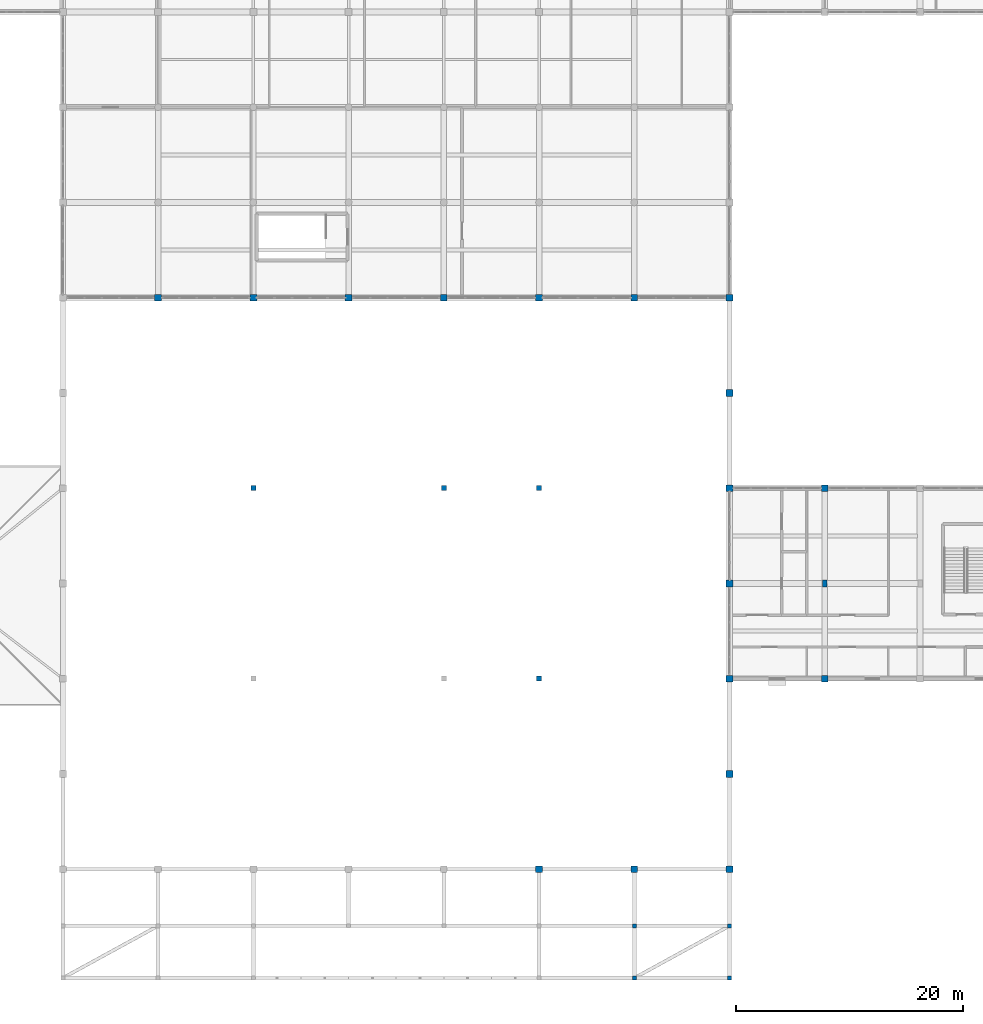
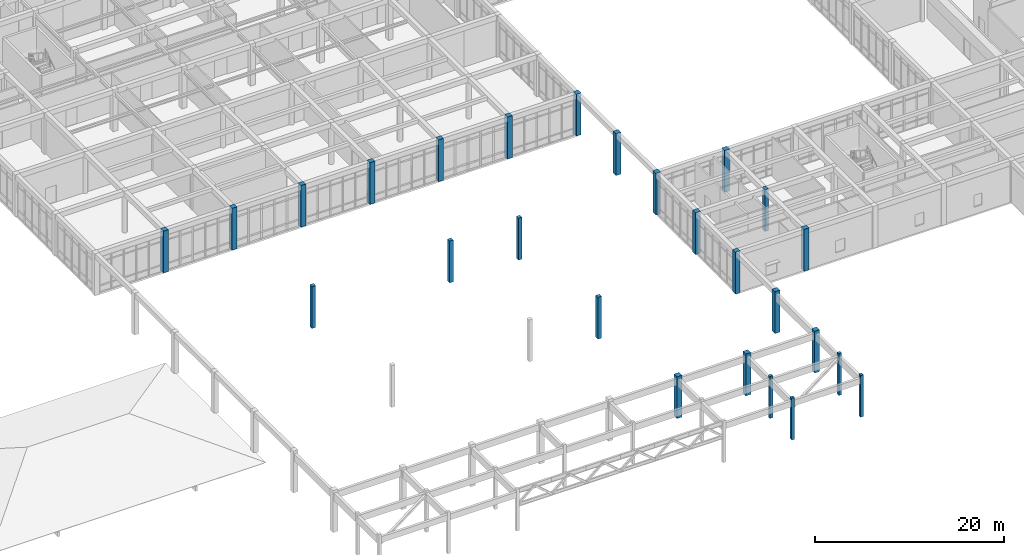
# One storey, part 2 of 89: 26 columns.
"""IFC4 building model written with IfcOpenShell, lengths in metres."""

from ifc_helpers import new_model, si_unit, direction, frame, origin, origin_2d, place, context, subcontext, project, spatial, rectangle, extrude, material, material_profile, profile_set, type_object, element, save


model = new_model("IFC4")

# Units and contexts
model_context = context("Model", 3, precision=1e-05, world=origin(), true_north=direction((0.0, 1.0)))
body_context = subcontext(model_context, "Body", "Model", "MODEL_VIEW")
ifc_project = project(units=[si_unit("LENGTHUNIT", "METRE"), si_unit("AREAUNIT", "SQUARE_METRE"), si_unit("VOLUMEUNIT", "CUBIC_METRE"), si_unit("PLANEANGLEUNIT", "RADIAN"), si_unit("MASSUNIT", "GRAM", prefix="KILO")], contexts=[model_context])

# Site, building, storey
site_placement = place(None, origin())
site = spatial("IfcSite", under=ifc_project, at=site_placement, CompositionType="ELEMENT")
building_placement = place(site_placement, origin())
building = spatial("IfcBuilding", under=site, at=building_placement, Name="Varncliffe General Hospital", CompositionType="ELEMENT")
storey_placement = place(building_placement, frame((0.0, 0.0, 10.800048828125)))
storey = spatial("IfcBuildingStorey", under=building, at=storey_placement, Name="L02", CompositionType="ELEMENT", Elevation=10.800048828125)

# Columns
ifc_material_1 = material(Name="Glulam GL28h (CSA O86 24f-EX, 30 MPa)", Category="wood")
ifc_material_profile_1 = material_profile(ifc_material_1, rectangle(XDim=0.35009765625, YDim=0.35009765625, at=origin_2d()), Name="GL 350x350")
ifc_profile_set_1 = profile_set([ifc_material_profile_1], Name="Glulam GL28h (CSA O86 24f-EX, 30 MPa)")
column_type_1 = type_object("IfcColumnType", Name="Column C12 (Ext GL 350x350)", PredefinedType="COLUMN", material=ifc_profile_set_1)
for number, where, z_axis, x_axis, name in (
    (1, (109.199951171875, -2.39990234375, 0.0), (0.0, 0.0, 1.0), (1.0, 0.0, 0.0), "L02 Column C12"),
    (2, (109.199951171875, 2.199951171875, 0.0), (0.0, 0.0, 1.0), (1.0, 0.0, 0.0), "L02 Column C12"),
    (3, (117.60009765625, -2.39990234375, 0.0), (0.0, 0.0, 1.0), (1.0, 0.0, 0.0), "L02 Column C12"),
    (4, (117.60009765625, 2.199951171875, 0.0), (0.0, 0.0, 1.0), (1.0, 0.0, 0.0), "L02 Column C12"),
):
    element("IfcColumn", number, at=place(storey_placement, frame(where, z_axis=z_axis, x_axis=x_axis)), inside=storey, type_object=column_type_1, Name=name, PredefinedType="COLUMN", context=body_context, shape_type="SweptSolid", body=[
        extrude(rectangle(XDim=0.35009765625, YDim=0.35009765625, at=origin_2d()), origin(), (0.0, 0.0, 1.0), 5.39990234375),
    ])
ifc_material_2 = material(Name="Concrete C40/50 (CSA A23.1 40 MPa)", Category="concrete")
ifc_material_profile_2 = material_profile(ifc_material_2, rectangle(XDim=0.60009765625, YDim=0.60009765625, at=origin_2d()), Name="RC 600x600")
ifc_profile_set_2 = profile_set([ifc_material_profile_2], Name="Concrete C40/50 (CSA A23.1 40 MPa)")
column_type_2 = type_object("IfcColumnType", Name="Column C27 (Ext RC 600x600)", PredefinedType="COLUMN", material=ifc_profile_set_2)
for number, where, z_axis, x_axis, name in (
    (5, (67.199951171875, 57.60009765625, 0.0), (0.0, 0.0, 1.0), (1.0, 0.0, 0.0), "L02 Column C27"),
    (6, (75.60009765625, 57.60009765625, 0.0), (0.0, 0.0, 1.0), (1.0, 0.0, 0.0), "L02 Column C27"),
    (7, (84.0, 57.60009765625, 0.0), (0.0, 0.0, 1.0), (1.0, 0.0, 0.0), "L02 Column C27"),
    (8, (92.39990234375, 57.60009765625, 0.0), (0.0, 0.0, 1.0), (1.0, 0.0, 0.0), "L02 Column C27"),
    (9, (100.800048828125, 7.199951171875, 0.0), (0.0, 0.0, 1.0), (1.0, 0.0, 0.0), "L02 Column C27"),
    (10, (100.800048828125, 57.60009765625, 0.0), (0.0, 0.0, 1.0), (1.0, 0.0, 0.0), "L02 Column C27"),
    (11, (109.199951171875, 7.199951171875, 0.0), (0.0, 0.0, 1.0), (1.0, 0.0, 0.0), "L02 Column C27"),
    (12, (109.199951171875, 57.60009765625, 0.0), (0.0, 0.0, 1.0), (1.0, 0.0, 0.0), "L02 Column C27"),
    (13, (117.60009765625, 7.199951171875, 0.0), (0.0, 0.0, 1.0), (1.0, 0.0, 0.0), "L02 Column C27"),
    (14, (117.60009765625, 15.60009765625, 0.0), (0.0, 0.0, 1.0), (1.0, 0.0, 0.0), "L02 Column C27"),
    (15, (117.60009765625, 24.0, 0.0), (0.0, 0.0, 1.0), (1.0, 0.0, 0.0), "L02 Column C27"),
    (16, (117.60009765625, 32.39990234375, 0.0), (0.0, 0.0, 1.0), (1.0, 0.0, 0.0), "L02 Column C27"),
    (17, (117.60009765625, 40.800048828125, 0.0), (0.0, 0.0, 1.0), (1.0, 0.0, 0.0), "L02 Column C27"),
    (18, (117.60009765625, 49.199951171875, 0.0), (0.0, 0.0, 1.0), (1.0, 0.0, 0.0), "L02 Column C27"),
    (19, (117.60009765625, 57.60009765625, 0.0), (0.0, 0.0, 1.0), (1.0, 0.0, 0.0), "L02 Column C27"),
    (20, (126.0, 24.0, 0.0), (0.0, 0.0, 1.0), (1.0, 0.0, 0.0), "L02 Column C27"),
    (21, (126.0, 40.800048828125, 0.0), (0.0, 0.0, 1.0), (1.0, 0.0, 0.0), "L02 Column C27"),
):
    element("IfcColumn", number, at=place(storey_placement, frame(where, z_axis=z_axis, x_axis=x_axis)), inside=storey, type_object=column_type_2, Name=name, PredefinedType="COLUMN", context=body_context, shape_type="SweptSolid", body=[
        extrude(rectangle(XDim=0.60009765625, YDim=0.60009765625, at=origin_2d()), origin(), (0.0, 0.0, 1.0), 5.39990234375),
    ])
ifc_material_profile_3 = material_profile(ifc_material_1, rectangle(XDim=0.449951171875, YDim=0.449951171875, at=origin_2d()), Name="GL 450x450")
ifc_profile_set_3 = profile_set([ifc_material_profile_3], Name="Glulam GL28h (CSA O86 24f-EX, 30 MPa)")
column_type_3 = type_object("IfcColumnType", Name="Column C36 (Int GL 450x450)", PredefinedType="COLUMN", material=ifc_profile_set_3)
for number, where, z_axis, x_axis, name in (
    (22, (75.60009765625, 40.800048828125, 0.0), (0.0, 0.0, 1.0), (1.0, 0.0, 0.0), "L02 Column C36"),
    (23, (92.39990234375, 40.800048828125, 0.0), (0.0, 0.0, 1.0), (1.0, 0.0, 0.0), "L02 Column C36"),
    (24, (100.800048828125, 24.0, 0.0), (0.0, 0.0, 1.0), (1.0, 0.0, 0.0), "L02 Column C36"),
    (25, (100.800048828125, 40.800048828125, 0.0), (0.0, 0.0, 1.0), (1.0, 0.0, 0.0), "L02 Column C36"),
):
    element("IfcColumn", number, at=place(storey_placement, frame(where, z_axis=z_axis, x_axis=x_axis)), inside=storey, type_object=column_type_3, Name=name, PredefinedType="COLUMN", context=body_context, shape_type="SweptSolid", body=[
        extrude(rectangle(XDim=0.449951171875, YDim=0.449951171875, at=origin_2d()), origin(), (0.0, 0.0, 1.0), 5.39990234375),
    ])
ifc_material_profile_4 = material_profile(ifc_material_2, rectangle(XDim=0.39990234375, YDim=0.60009765625, at=origin_2d()), Name="RC 400x600")
ifc_profile_set_4 = profile_set([ifc_material_profile_4], Name="Concrete C40/50 (CSA A23.1 40 MPa)")
column_type_4 = type_object("IfcColumnType", Name="Column C58 (Int RC 400x600)", PredefinedType="COLUMN", material=ifc_profile_set_4)
column_placement = place(storey_placement, frame((126.0, 32.39990234375, 0.0), z_axis=(0.0, 0.0, 1.0), x_axis=(1.0, 0.0, 0.0)))
element("IfcColumn", 26, at=column_placement, inside=storey, type_object=column_type_4, Name="L02 Column C58", PredefinedType="COLUMN", context=body_context, shape_type="SweptSolid", body=[
    extrude(rectangle(XDim=0.39990234375, YDim=0.60009765625, at=origin_2d()), origin(), (0.0, 0.0, 1.0), 5.39990234375),
])

save(model, "model.ifc")
